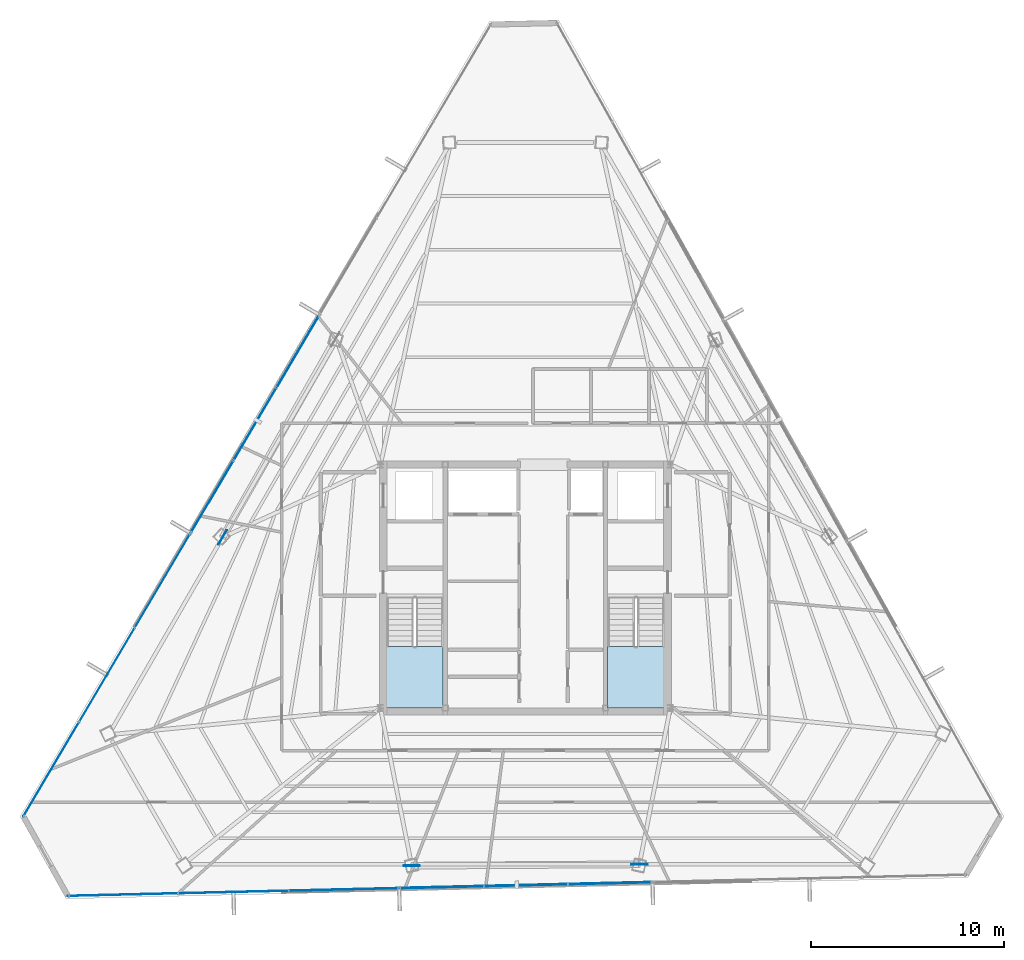
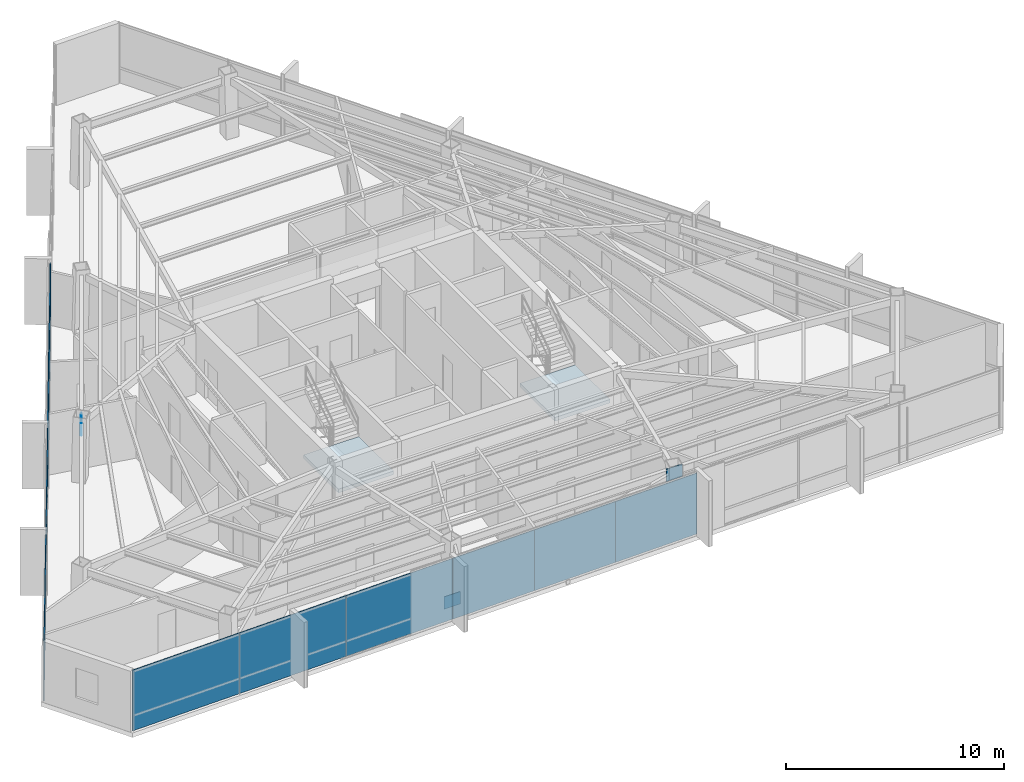
# One storey, part 37 of 46: 15 plates, 2 slabs, 6 elements without a shape of their own.
"""IFC4 building model written with IfcOpenShell, lengths in metres."""

import ifcopenshell
import ifcopenshell.guid

model = None  # the IFC model being written
_history = None  # IfcOwnerHistory: only IFC2X3 demands one
_inside = {}  # id of a spatial element -> (the spatial element, [elements in it])
_under = {}  # id of a project, library or spatial element -> (it, [spatial elements below it])
_declared = {}  # id of a project -> (the project, [libraries it declares])
_typed = {}  # id of a type object -> (the type object, [elements of that type])
_made_of = {}  # id of a material, layer set ... -> (it, [elements and type objects made of it])


def new_model(schema):
    """Start an empty IFC model of exactly this schema.

    Asked for "IFC4X3", IfcOpenShell would pick the latest addendum, in which some entities
    have other attributes; the version numbers below select the first issue.
    IFC2X3 requires an IfcOwnerHistory on every rooted entity: one is made here for all.
    """
    global model, _history
    if schema == "IFC4X3":
        model = ifcopenshell.file(schema_version=(4, 3, 0, 0))
    else:
        model = ifcopenshell.file(schema=schema)
    _inside.clear()
    _under.clear()
    _declared.clear()
    _typed.clear()
    _made_of.clear()
    _history = None
    if model.schema == "IFC2X3":
        org = make("IfcOrganization", Name="unknown")
        user = make(
            "IfcPersonAndOrganization",
            ThePerson=make("IfcPerson", FamilyName="unknown"),
            TheOrganization=org,
        )
        app = make(
            "IfcApplication",
            ApplicationDeveloper=org,
            Version="unknown",
            ApplicationFullName="unknown",
            ApplicationIdentifier="unknown",
        )
        _history = make(
            "IfcOwnerHistory",
            OwningUser=user,
            OwningApplication=app,
            ChangeAction="ADDED",
            CreationDate=0,
        )
    return model


def make(cls, **values):
    """One entity of the class cls with the attributes given. An attribute that is None is left unset."""
    return model.create_entity(
        cls, **{name: value for name, value in values.items() if value is not None}
    )


def rooted(cls, **values):
    """An entity with a GlobalId (a new one), such as an element, a storey or a relation."""
    return make(cls, GlobalId=ifcopenshell.guid.new(), OwnerHistory=_history, **values)


def si_unit(unit_type, name, prefix=None):
    """IfcSIUnit, for example si_unit("LENGTHUNIT", "METRE", prefix="MILLI")."""
    return make("IfcSIUnit", UnitType=unit_type, Prefix=prefix, Name=name)


def assignment(units):
    """IfcUnitAssignment: the units of a project."""
    return None if units is None else make("IfcUnitAssignment", Units=units)


def point(xyz):
    """IfcCartesianPoint."""
    return None if xyz is None else make("IfcCartesianPoint", Coordinates=xyz)


def direction(xyz):
    """IfcDirection."""
    return None if xyz is None else make("IfcDirection", DirectionRatios=xyz)


def frame(location, z_axis=None, x_axis=None):
    """IfcAxis2Placement3D, a coordinate frame: its origin and axes. An axis left out is left unset."""
    return make(
        "IfcAxis2Placement3D",
        Location=point(location),
        Axis=direction(z_axis),
        RefDirection=direction(x_axis),
    )


def frame_2d(location, x_axis=None):
    """IfcAxis2Placement2D, a coordinate frame in the plane: its origin and x axis."""
    return make(
        "IfcAxis2Placement2D", Location=point(location), RefDirection=direction(x_axis)
    )


def origin():
    """The frame at (0, 0, 0) with its axes left unset."""
    return frame((0.0, 0.0, 0.0))


def origin_2d():
    """The frame at (0, 0) in the plane with its x axis left unset."""
    return frame_2d((0.0, 0.0))


def place(relative_to, where):
    """IfcLocalPlacement: puts the frame where relative to a parent placement (None: the world)."""
    return make(
        "IfcLocalPlacement", PlacementRelTo=relative_to, RelativePlacement=where
    )


def context(
    kind, dimensions, precision=None, world=None, true_north=None, identifier=None
):
    """IfcGeometricRepresentationContext, for example the 3D "Model" context."""
    return make(
        "IfcGeometricRepresentationContext",
        ContextIdentifier=identifier,
        ContextType=kind,
        CoordinateSpaceDimension=dimensions,
        Precision=precision,
        WorldCoordinateSystem=world,
        TrueNorth=true_north,
    )


def subcontext(parent, identifier, kind, view, scale=None):
    """IfcGeometricRepresentationSubContext, for example "Body" below "Model"."""
    return make(
        "IfcGeometricRepresentationSubContext",
        ContextIdentifier=identifier,
        ContextType=kind,
        ParentContext=parent,
        TargetScale=scale,
        TargetView=view,
    )


def project(units=None, contexts=None):
    """IfcProject with its units and contexts."""
    return rooted(
        "IfcProject",
        Name="project",
        RepresentationContexts=contexts,
        UnitsInContext=assignment(units),
    )


def spatial(cls, under=None, at=None, **own):
    """A site, building, storey or space (cls), placed at a placement, below another one or the project."""
    s = rooted(cls, ObjectPlacement=at, **own)
    if under is not None:
        _under.setdefault(under.id(), (under, []))[1].append(s)
    return s


def polyline(points):
    """IfcPolyline through the points."""
    return make("IfcPolyline", Points=[point(p) for p in points])


def profile(cls, at=None, kind="AREA", **sizes):
    """A parametric profile (cls). Its sizes go by their IFC names, for example OverallWidth=200.0."""
    return make(cls, ProfileType=kind, Position=at, **sizes)


def rectangle(**sizes):
    """IfcRectangleProfileDef."""
    return profile("IfcRectangleProfileDef", **sizes)


def outline(outer, holes=None, kind="AREA"):
    """IfcArbitraryClosedProfileDef: a profile drawn as a closed curve; with holes, ...WithVoids."""
    if holes is None:
        return make("IfcArbitraryClosedProfileDef", ProfileType=kind, OuterCurve=outer)
    return make(
        "IfcArbitraryProfileDefWithVoids",
        ProfileType=kind,
        OuterCurve=outer,
        InnerCurves=holes,
    )


def extrude(swept, where, along, depth):
    """IfcExtrudedAreaSolid: the profile swept, set in the frame where, extruded along a direction by depth."""
    return make(
        "IfcExtrudedAreaSolid",
        SweptArea=swept,
        Position=where,
        ExtrudedDirection=direction(along),
        Depth=depth,
    )


def shape(context_of_items, identifier, shape_type, items):
    """IfcShapeRepresentation: the items that make up one representation, for example the "Body"."""
    return make(
        "IfcShapeRepresentation",
        ContextOfItems=context_of_items,
        RepresentationIdentifier=identifier,
        RepresentationType=shape_type,
        Items=items,
    )


def source(mapping_origin, context_of_items, identifier, shape_type, items):
    """IfcRepresentationMap: a shape defined once, which mapped items show again and again."""
    return make(
        "IfcRepresentationMap",
        MappingOrigin=mapping_origin,
        MappedRepresentation=shape(context_of_items, identifier, shape_type, items),
    )


def transform(
    local_origin,
    x_axis=None,
    y_axis=None,
    z_axis=None,
    scale=None,
    scale2=None,
    scale3=None,
    uniform=True,
):
    """IfcCartesianTransformationOperator3D, or its non-uniform kind. x_axis, y_axis, z_axis: its Axis1, 2, 3."""
    if uniform:
        return make(
            "IfcCartesianTransformationOperator3D",
            Axis1=direction(x_axis),
            Axis2=direction(y_axis),
            LocalOrigin=point(local_origin),
            Scale=scale,
            Axis3=direction(z_axis),
        )
    return make(
        "IfcCartesianTransformationOperator3DnonUniform",
        Axis1=direction(x_axis),
        Axis2=direction(y_axis),
        LocalOrigin=point(local_origin),
        Scale=scale,
        Axis3=direction(z_axis),
        Scale2=scale2,
        Scale3=scale3,
    )


def mapped(mapping_source, mapping_target):
    """IfcMappedItem: shows the shape of a source again, moved by a transform."""
    return make(
        "IfcMappedItem", MappingSource=mapping_source, MappingTarget=mapping_target
    )


def material(Name=None, Category=None):
    """IfcMaterial."""
    return make("IfcMaterial", Name=Name, Category=Category)


def layer(
    of_material, thickness, ventilated=None, Name=None, Category=None, Priority=None
):
    """IfcMaterialLayer: one layer of a wall or slab, of a material (None: an air gap)."""
    return make(
        "IfcMaterialLayer",
        Material=of_material,
        LayerThickness=thickness,
        IsVentilated=ventilated,
        Name=Name,
        Category=Category,
        Priority=Priority,
    )


def layer_set(layers, Name=None):
    """IfcMaterialLayerSet."""
    return make("IfcMaterialLayerSet", MaterialLayers=layers, LayerSetName=Name)


def made_of(thing, what):
    """Note that an element or type object is made of a material, layer set ...; save() writes the relation."""
    if what is not None:
        _made_of.setdefault(what.id(), (what, []))[1].append(thing)
    return thing


def type_object(cls, material=None, **own):
    """A type object (cls), such as IfcWallType, which elements share."""
    return made_of(rooted(cls, **own), material)


def type_shapes(of_type, sources):
    """Give a type object the sources (RepresentationMaps) that its elements show as mapped items."""
    of_type.RepresentationMaps = sources


def element(
    cls,
    number,
    at=None,
    inside=None,
    cuts=None,
    type_object=None,
    material=None,
    context=None,
    identifier="Body",
    shape_type=None,
    held_by="IfcProductDefinitionShape",
    body=None,
    shapes=None,
    **own,
):
    """One element of the class cls, such as IfcWall. Its Tag is "e" and its number.

    at: its placement. inside: the storey or other place that contains it. cuts: it is an
    opening in that element (IfcRelVoidsElement). A single representation is given by context,
    identifier, shape_type and body (its items); several are given by shapes. held_by: the class
    of the entity that holds the representations. save() writes the other relations.
    """
    e = rooted(cls, Tag="e%d" % number, ObjectPlacement=at, **own)
    if body is not None:
        shapes = [shape(context, identifier, shape_type, body)]
    if shapes is not None:
        e.Representation = make(held_by, Representations=shapes)
    if inside is not None:
        _inside.setdefault(inside.id(), (inside, []))[1].append(e)
    if cuts is not None:
        rooted(
            "IfcRelVoidsElement", RelatingBuildingElement=cuts, RelatedOpeningElement=e
        )
    if type_object is not None:
        _typed.setdefault(type_object.id(), (type_object, []))[1].append(e)
    return made_of(e, material)


def aggregate(whole, parts):
    """IfcRelAggregates: a whole, such as a stair, and the parts it consists of."""
    return rooted("IfcRelAggregates", RelatingObject=whole, RelatedObjects=parts)


def save(model, path):
    """Write the relations noted so far, then the file.

    IfcRelAggregates (storeys below a building ...), IfcRelContainedInSpatialStructure (elements
    in a storey), IfcRelDefinesByType, IfcRelAssociatesMaterial and IfcRelDeclares: one each for
    every whole, place, type object, material and project.
    """
    for whole, parts in _under.values():
        aggregate(whole, parts)
    for where, things in _inside.values():
        rooted(
            "IfcRelContainedInSpatialStructure",
            RelatedElements=things,
            RelatingStructure=where,
        )
    for kind, things in _typed.values():
        rooted("IfcRelDefinesByType", RelatedObjects=things, RelatingType=kind)
    for what, things in _made_of.values():
        rooted("IfcRelAssociatesMaterial", RelatedObjects=things, RelatingMaterial=what)
    for by, libraries in _declared.values():
        rooted("IfcRelDeclares", RelatingContext=by, RelatedDefinitions=libraries)
    model.write(path)


model = new_model("IFC4")

# Units and contexts
model_context = context("Model", 3, precision=1e-05, world=origin(), true_north=direction((0.0, 1.0)))
body_context = subcontext(model_context, "Body", "Model", "MODEL_VIEW")
ifc_project = project(units=[si_unit("LENGTHUNIT", "METRE"), si_unit("AREAUNIT", "SQUARE_METRE"), si_unit("VOLUMEUNIT", "CUBIC_METRE"), si_unit("PLANEANGLEUNIT", "RADIAN"), si_unit("MASSUNIT", "GRAM", prefix="KILO")], contexts=[model_context])

# Site, building, storey
site_placement = place(None, origin())
site = spatial("IfcSite", under=ifc_project, at=site_placement, CompositionType="ELEMENT")
building_placement = place(site_placement, origin())
building = spatial("IfcBuilding", under=site, at=building_placement, Name="Caelisora Broadcast Tower", CompositionType="ELEMENT")
storey_placement = place(building_placement, frame((0.0, 0.0, 251.75)))
storey = spatial("IfcBuildingStorey", under=building, at=storey_placement, Name="L66", CompositionType="ELEMENT", Elevation=251.75)

# Stair, slab
ifc_material_1 = material(Name="Concrete 40 MPa (AS 3600 N40)", Category="concrete")
stair_type_1 = type_object("IfcStairType", Name="ST-1", PredefinedType="HALF_TURN_STAIR", material=ifc_material_1)
stair_1_placement = place(storey_placement, origin())
stair_1 = element("IfcStair", 1, at=stair_1_placement, inside=storey, type_object=stair_type_1, Name="L66 West Fire-Isolated Tower Stair", PredefinedType="HALF_TURN_STAIR")
ifc_layer_1 = layer(ifc_material_1, 0.199951171875, Name="Concrete 40 MPa (AS 3600 N40)")
ifc_layer_set_1 = layer_set([ifc_layer_1], Name="Concrete 40 MPa (AS 3600 N40)")
slab_type = type_object("IfcSlabType", Name="STL-1", PredefinedType="LANDING", material=ifc_layer_set_1)
slab_1_placement = place(storey_placement, frame((0.0, 0.0, 1.625)))
slab_1 = element("IfcSlab", 2, at=slab_1_placement, type_object=slab_type, Name="ST-1 landing 1", PredefinedType="LANDING", context=body_context, shape_type="SweptSolid", body=[
    extrude(outline(polyline([(30.820068359375, 20.580078125), (30.820068359375, 17.39990234375), (33.739990234375, 17.39990234375), (33.739990234375, 20.580078125), (30.820068359375, 20.580078125)])), origin(), (0.0, 0.0, 1.0), 0.199951171875),
])
aggregate(stair_1, [slab_1])

stair_type_2 = type_object("IfcStairType", Name="ST-2", PredefinedType="HALF_TURN_STAIR", material=ifc_material_1)
stair_2_placement = place(storey_placement, origin())
stair_2 = element("IfcStair", 3, at=stair_2_placement, inside=storey, type_object=stair_type_2, Name="L66 East Fire-Isolated Tower Stair", PredefinedType="HALF_TURN_STAIR")
slab_2_placement = place(storey_placement, frame((0.0, 0.0, 1.625)))
slab_2 = element("IfcSlab", 4, at=slab_2_placement, type_object=slab_type, Name="ST-2 landing 1", PredefinedType="LANDING", context=body_context, shape_type="SweptSolid", body=[
    extrude(outline(polyline([(42.260009765625, 20.580078125), (42.260009765625, 17.39990234375), (45.179931640625, 17.39990234375), (45.179931640625, 20.580078125), (42.260009765625, 20.580078125)])), origin(), (0.0, 0.0, 1.0), 0.199951171875),
])
aggregate(stair_2, [slab_2])

# Plates
ifc_material_2 = material(Name="Steel Grade 350 L15 (AS/NZS 3678)", Category="steel")
ifc_layer_2 = layer(ifc_material_2, 0.0400390625, Name="Steel Grade 350 L15 (AS/NZS 3678)")
ifc_layer_set_2 = layer_set([ifc_layer_2], Name="Steel Grade 350 L15 (AS/NZS 3678)")
plate_type_1 = type_object("IfcPlateType", Name="GP04", PredefinedType="USERDEFINED", material=ifc_layer_set_2)
shared_shape_1 = source(origin(), body_context, "Body", "SweptSolid", [
    extrude(rectangle(XDim=0.85009765625, YDim=0.0400390625, at=origin_2d()), origin(), (0.0, 0.0, 1.0), 0.699951171875),
])
type_shapes(plate_type_1, [shared_shape_1])
for number, where, z_axis, x_axis, name in (
    (5, (22.329833984375, 26.234375, 2.72998046875), (0.0, 0.0, 1.0), (-0.5, -0.866025403784, 0.0), "L66 gusset plate GP04 (ND-L66-C03T)"),
    (6, (32.1162109375, 9.23974609375, -0.22998046875), (0.0, 0.0, 1.0), (1.0, 0.0, 0.0), "L66 gusset plate GP04 (ND-L66-C06B)"),
    (7, (43.900146484375, 9.31201171875, 2.72998046875), (0.0, 0.0, 1.0), (1.0, 0.0, 0.0), "L66 gusset plate GP04 (ND-L66-C07T)"),
):
    element("IfcPlate", number, at=place(storey_placement, frame(where, z_axis=z_axis, x_axis=x_axis)), inside=storey, type_object=plate_type_1, Name=name, ObjectType="GUSSET PLATE", PredefinedType="USERDEFINED", context=body_context, shape_type="MappedRepresentation", body=[
        mapped(shared_shape_1, transform((0.0, 0.0, 0.0), scale=1.0)),
    ])

# Curtain wall, plates
ifc_material_3 = material(Name="Unitised Aluminium Insulated Shadow-Box Spandrel Curtain Wall", Category="aluminium")
curtain_wall_type_1 = type_object("IfcCurtainWallType", Name="CW-SP3", PredefinedType="NOTDEFINED", material=ifc_material_3)
curtain_wall_1_placement = place(storey_placement, origin())
curtain_wall_1 = element("IfcCurtainWall", 8, at=curtain_wall_1_placement, inside=storey, type_object=curtain_wall_type_1, Name="L66 curtain wall CW-SP3", PredefinedType="NOTDEFINED")
ifc_material_4 = material(Name="Insulated Terracotta Shadow-Box Spandrel Panel", Category="aluminium")
ifc_layer_3 = layer(ifc_material_4, 0.0439453125, Name="Insulated Terracotta Shadow-Box Spandrel Panel")
ifc_layer_set_3 = layer_set([ifc_layer_3], Name="Insulated Terracotta Shadow-Box Spandrel Panel")
plate_type_2 = type_object("IfcPlateType", Name="CWP-10", PredefinedType="CURTAIN_PANEL", material=ifc_layer_set_3)
shared_shape_2 = source(origin(), body_context, "Body", "SweptSolid", [
    extrude(rectangle(XDim=4.368896484375, YDim=0.0439453125, at=origin_2d()), origin(), (0.0, 0.0, 1.0), 3.39990234375),
])
plate_1_placement = place(storey_placement, frame((21.785400390625, 28.33251953125, 0.0), z_axis=(0.0, 0.0, 1.0), x_axis=(0.508440380454, 0.861097195167, 0.0)))
plate_1 = element("IfcPlate", 9, at=plate_1_placement, type_object=plate_type_2, Name="L66-CW-B10 spandrel panel #1", PredefinedType="CURTAIN_PANEL", context=body_context, shape_type="MappedRepresentation", body=[
    mapped(shared_shape_2, transform((0.0, 0.0, 0.0), scale=1.0)),
])
plate_2_placement = place(storey_placement, frame((24.0068359375, 32.0947265625, 0.0), z_axis=(0.0, 0.0, 1.0), x_axis=(0.508440380454, 0.861097195167, 0.0)))
plate_2 = element("IfcPlate", 10, at=plate_2_placement, type_object=plate_type_2, Name="L66-CW-B10 spandrel panel #2", PredefinedType="CURTAIN_PANEL", context=body_context, shape_type="MappedRepresentation", body=[
    mapped(shared_shape_2, transform((0.0, 0.0, 0.0), scale=1.0)),
])
plate_3_placement = place(storey_placement, frame((26.22802734375, 35.85693359375, 0.0), z_axis=(0.0, 0.0, 1.0), x_axis=(0.508440380454, 0.861097195167, 0.0)))
plate_3 = element("IfcPlate", 11, at=plate_3_placement, type_object=plate_type_2, Name="L66-CW-B10 spandrel panel #3", PredefinedType="CURTAIN_PANEL", context=body_context, shape_type="MappedRepresentation", body=[
    mapped(shared_shape_2, transform((0.0, 0.0, 0.0), scale=1.0)),
])
aggregate(curtain_wall_1, [plate_1, plate_2, plate_3])

curtain_wall_2_placement = place(storey_placement, origin())
curtain_wall_2 = element("IfcCurtainWall", 12, at=curtain_wall_2_placement, inside=storey, type_object=curtain_wall_type_1, Name="L66 curtain wall CW-SP3", PredefinedType="NOTDEFINED")
shared_shape_3 = source(origin(), body_context, "Body", "SweptSolid", [
    extrude(rectangle(XDim=4.367919921875, YDim=0.0439453125, at=origin_2d()), origin(), (0.0, 0.0, 1.0), 3.39990234375),
])
type_shapes(plate_type_2, [shared_shape_2, shared_shape_3])
plate_4_placement = place(storey_placement, frame((42.390625, 8.333984375, 0.0), z_axis=(0.0, 0.0, 1.0), x_axis=(-0.999722430218, -0.023559764834, 0.0)))
plate_4 = element("IfcPlate", 13, at=plate_4_placement, type_object=plate_type_2, Name="L66-CW-B06 spandrel panel #1", PredefinedType="CURTAIN_PANEL", context=body_context, shape_type="MappedRepresentation", body=[
    mapped(shared_shape_3, transform((0.0, 0.0, 0.0), scale=1.0)),
])
plate_5_placement = place(storey_placement, frame((38.023681640625, 8.231201171875, 0.0), z_axis=(0.0, 0.0, 1.0), x_axis=(-0.999722430218, -0.023559764834, 0.0)))
plate_5 = element("IfcPlate", 14, at=plate_5_placement, type_object=plate_type_2, Name="L66-CW-B06 spandrel panel #2", PredefinedType="CURTAIN_PANEL", context=body_context, shape_type="MappedRepresentation", body=[
    mapped(shared_shape_3, transform((0.0, 0.0, 0.0), scale=1.0)),
])
plate_6_placement = place(storey_placement, frame((33.656982421875, 8.12841796875, 0.0), z_axis=(0.0, 0.0, 1.0), x_axis=(-0.999722430218, -0.023559764834, 0.0)))
plate_6 = element("IfcPlate", 15, at=plate_6_placement, type_object=plate_type_2, Name="L66-CW-B06 spandrel panel #3", PredefinedType="CURTAIN_PANEL", context=body_context, shape_type="MappedRepresentation", body=[
    mapped(shared_shape_3, transform((0.0, 0.0, 0.0), scale=1.0)),
])
aggregate(curtain_wall_2, [plate_4, plate_5, plate_6])

ifc_material_5 = material(Name="Unitised Aluminium and Low-E Glass Curtain Wall", Category="glass")
curtain_wall_type_2 = type_object("IfcCurtainWallType", Name="CW-Z5", PredefinedType="NOTDEFINED", material=ifc_material_5)
curtain_wall_3_placement = place(storey_placement, origin())
curtain_wall_3 = element("IfcCurtainWall", 16, at=curtain_wall_3_placement, inside=storey, type_object=curtain_wall_type_2, Name="L66 curtain wall CW-Z5", PredefinedType="NOTDEFINED")
ifc_material_6 = material(Name="Double Glazed Low-E Argon IGU", Category="glass")
ifc_layer_4 = layer(ifc_material_6, 0.028076171875, Name="Double Glazed Low-E Argon IGU")
ifc_layer_set_4 = layer_set([ifc_layer_4], Name="Double Glazed Low-E Argon IGU")
plate_type_3 = type_object("IfcPlateType", Name="CWP-06", PredefinedType="CURTAIN_PANEL", material=ifc_layer_set_4)
shared_shape_4 = source(origin(), body_context, "Body", "SweptSolid", [
    extrude(rectangle(XDim=5.718017578125, YDim=0.028076171875, at=origin_2d()), origin(), (0.0, 0.0, 1.0), 3.39990234375),
])
plate_7_placement = place(storey_placement, frame((28.605224609375, 8.009521484375, 0.0), z_axis=(0.0, 0.0, 1.0), x_axis=(-0.999722430218, -0.023559764834, 0.0)))
plate_7 = element("IfcPlate", 17, at=plate_7_placement, type_object=plate_type_3, Name="L66-CW-B07 glazed panel #1", PredefinedType="CURTAIN_PANEL", context=body_context, shape_type="MappedRepresentation", body=[
    mapped(shared_shape_4, transform((0.0, 0.0, 0.0), scale=1.0)),
])
plate_8_placement = place(storey_placement, frame((22.888671875, 7.875, 0.0), z_axis=(0.0, 0.0, 1.0), x_axis=(-0.999722430218, -0.023559764834, 0.0)))
plate_8 = element("IfcPlate", 18, at=plate_8_placement, type_object=plate_type_3, Name="L66-CW-B07 glazed panel #2", PredefinedType="CURTAIN_PANEL", context=body_context, shape_type="MappedRepresentation", body=[
    mapped(shared_shape_4, transform((0.0, 0.0, 0.0), scale=1.0)),
])
plate_9_placement = place(storey_placement, frame((17.172119140625, 7.740234375, 0.0), z_axis=(0.0, 0.0, 1.0), x_axis=(-0.999722430218, -0.023559764834, 0.0)))
plate_9 = element("IfcPlate", 19, at=plate_9_placement, type_object=plate_type_3, Name="L66-CW-B07 glazed panel #3", PredefinedType="CURTAIN_PANEL", context=body_context, shape_type="MappedRepresentation", body=[
    mapped(shared_shape_4, transform((0.0, 0.0, 0.0), scale=1.0)),
])
aggregate(curtain_wall_3, [plate_7, plate_8, plate_9])

curtain_wall_4_placement = place(storey_placement, origin())
curtain_wall_4 = element("IfcCurtainWall", 20, at=curtain_wall_4_placement, inside=storey, type_object=curtain_wall_type_2, Name="L66 curtain wall CW-Z5", PredefinedType="NOTDEFINED")
shared_shape_5 = source(origin(), body_context, "Body", "SweptSolid", [
    extrude(rectangle(XDim=5.67431640625, YDim=0.028076171875, at=origin_2d()), origin(), (0.0, 0.0, 1.0), 3.39990234375),
])
type_shapes(plate_type_3, [shared_shape_4, shared_shape_5])
plate_10_placement = place(storey_placement, frame((13.45751953125, 14.22705078125, 0.0), z_axis=(0.0, 0.0, 1.0), x_axis=(0.508440380454, 0.861097195167, 0.0)))
plate_10 = element("IfcPlate", 21, at=plate_10_placement, type_object=plate_type_3, Name="L66-CW-B09 glazed panel #1", PredefinedType="CURTAIN_PANEL", context=body_context, shape_type="MappedRepresentation", body=[
    mapped(shared_shape_5, transform((0.0, 0.0, 0.0), scale=1.0)),
])
plate_11_placement = place(storey_placement, frame((16.34228515625, 19.11328125, 0.0), z_axis=(0.0, 0.0, 1.0), x_axis=(0.508440380454, 0.861097195167, 0.0)))
plate_11 = element("IfcPlate", 22, at=plate_11_placement, type_object=plate_type_3, Name="L66-CW-B09 glazed panel #2", PredefinedType="CURTAIN_PANEL", context=body_context, shape_type="MappedRepresentation", body=[
    mapped(shared_shape_5, transform((0.0, 0.0, 0.0), scale=1.0)),
])
plate_12_placement = place(storey_placement, frame((19.227294921875, 23.999755859375, 0.0), z_axis=(0.0, 0.0, 1.0), x_axis=(0.508440380454, 0.861097195167, 0.0)))
plate_12 = element("IfcPlate", 23, at=plate_12_placement, type_object=plate_type_3, Name="L66-CW-B09 glazed panel #3", PredefinedType="CURTAIN_PANEL", context=body_context, shape_type="MappedRepresentation", body=[
    mapped(shared_shape_5, transform((0.0, 0.0, 0.0), scale=1.0)),
])
aggregate(curtain_wall_4, [plate_10, plate_11, plate_12])

save(model, "model.ifc")
